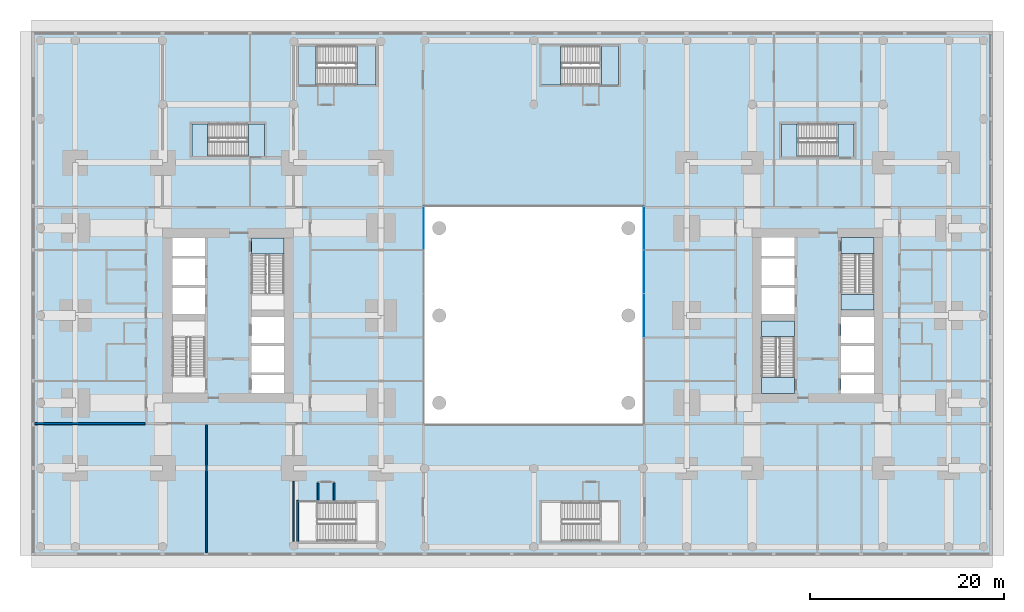
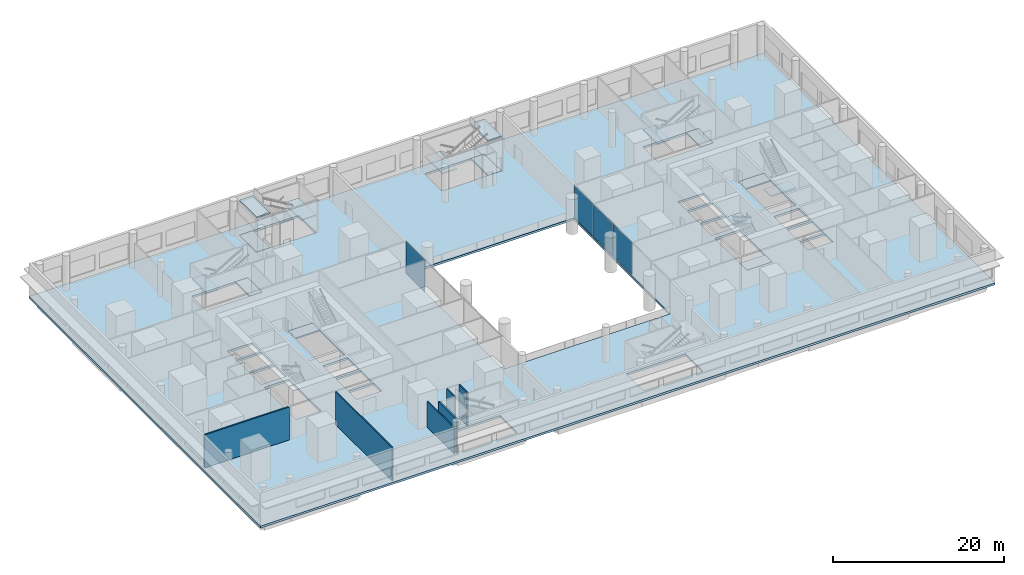
# One storey, part 9 of 22: 16 slabs, 6 walls, 4 plates, 9 elements without a shape of their own.
"""IFC4 building model written with IfcOpenShell, lengths in metres."""

from ifc_helpers import new_model, si_unit, direction, frame, frame_2d, origin, origin_2d, place, context, subcontext, project, spatial, polyline, rectangle, outline, extrude, material, layer, layer_set, type_object, element, aggregate, save


model = new_model("IFC4")

# Units and contexts
model_context = context("Model", 3, precision=1e-05, world=origin(), true_north=direction((0.0, 1.0)))
body_context = subcontext(model_context, "Body", "Model", "MODEL_VIEW")
ifc_project = project(units=[si_unit("LENGTHUNIT", "METRE"), si_unit("AREAUNIT", "SQUARE_METRE"), si_unit("VOLUMEUNIT", "CUBIC_METRE"), si_unit("PLANEANGLEUNIT", "RADIAN"), si_unit("MASSUNIT", "GRAM", prefix="KILO")], contexts=[model_context])

# Site, building, storey
site_placement = place(None, origin())
site = spatial("IfcSite", under=ifc_project, at=site_placement, CompositionType="ELEMENT")
building_placement = place(site_placement, origin())
building = spatial("IfcBuilding", under=site, at=building_placement, Name="Namib Vertical Campus", CompositionType="ELEMENT")
storey_placement = place(building_placement, frame((0.0, 0.0, 11.0)))
storey = spatial("IfcBuildingStorey", under=building, at=storey_placement, Name="L02", CompositionType="ELEMENT", Elevation=11.0)

# Curtain wall, plate
ifc_material_1 = material(Name="Black aluminium curtain wall", Category="aluminium")
ifc_layer_1 = layer(ifc_material_1, 0.199951171875)
ifc_layer_set_1 = layer_set([ifc_layer_1], Name="Atrium screen curtain wall CW-AT")
curtain_wall_type = type_object("IfcCurtainWallType", Name="Atrium screen curtain wall CW-AT", PredefinedType="USERDEFINED", material=ifc_layer_set_1)
curtain_wall_1_placement = place(storey_placement, origin())
curtain_wall_1 = element("IfcCurtainWall", 1, at=curtain_wall_1_placement, inside=storey, type_object=curtain_wall_type, Name="Curtain wall CW-AT atrium A L02 1", ObjectType="CURTAIN WALL", PredefinedType="USERDEFINED")
ifc_material_2 = material(Name="Dark tinted glass", Category="glass")
ifc_layer_2 = layer(ifc_material_2, 0.028076171875)
ifc_layer_set_2 = layer_set([ifc_layer_2], Name="Dark solar glass panel 28")
plate_type = type_object("IfcPlateType", Name="Dark solar glass panel 28", PredefinedType="CURTAIN_PANEL", material=ifc_layer_set_2)
plate_1_placement = place(storey_placement, frame((40.39990234375, 29.235107421875, 0.06005859375), z_axis=(0.0, 0.0, 1.0), x_axis=(0.0, 1.0, 0.0)))
plate_1 = element("IfcPlate", 2, at=plate_1_placement, type_object=plate_type, Name="CW-AT panel 5.1", PredefinedType="CURTAIN_PANEL", context=body_context, shape_type="SweptSolid", body=[
    extrude(rectangle(XDim=4.409912109375, YDim=0.028076171875, at=origin_2d()), origin(), (0.0, 0.0, 1.0), 4.580078125),
])
aggregate(curtain_wall_1, [plate_1])

# Curtain wall, plates
curtain_wall_2_placement = place(storey_placement, origin())
curtain_wall_2 = element("IfcCurtainWall", 3, at=curtain_wall_2_placement, inside=storey, type_object=curtain_wall_type, Name="Curtain wall CW-AT atrium B L02 1", ObjectType="CURTAIN WALL", PredefinedType="USERDEFINED")
plate_2_placement = place(storey_placement, frame((63.10009765625, 20.25, 0.06005859375), z_axis=(0.0, 0.0, 1.0), x_axis=(0.0, 1.0, 0.0)))
plate_2 = element("IfcPlate", 4, at=plate_2_placement, type_object=plate_type, Name="CW-AT panel 3.1", PredefinedType="CURTAIN_PANEL", context=body_context, shape_type="SweptSolid", body=[
    extrude(rectangle(XDim=4.43994140625, YDim=0.028076171875, at=origin_2d()), origin(), (0.0, 0.0, 1.0), 4.580078125),
])
plate_3_placement = place(storey_placement, frame((63.10009765625, 24.75, 0.06005859375), z_axis=(0.0, 0.0, 1.0), x_axis=(0.0, 1.0, 0.0)))
plate_3 = element("IfcPlate", 5, at=plate_3_placement, type_object=plate_type, Name="CW-AT panel 4.1", PredefinedType="CURTAIN_PANEL", context=body_context, shape_type="SweptSolid", body=[
    extrude(rectangle(XDim=4.43994140625, YDim=0.028076171875, at=origin_2d()), origin(), (0.0, 0.0, 1.0), 4.580078125),
])
plate_4_placement = place(storey_placement, frame((63.10009765625, 29.235107421875, 0.06005859375), z_axis=(0.0, 0.0, 1.0), x_axis=(0.0, 1.0, 0.0)))
plate_4 = element("IfcPlate", 6, at=plate_4_placement, type_object=plate_type, Name="CW-AT panel 5.1", PredefinedType="CURTAIN_PANEL", context=body_context, shape_type="SweptSolid", body=[
    extrude(rectangle(XDim=4.409912109375, YDim=0.028076171875, at=origin_2d()), origin(), (0.0, 0.0, 1.0), 4.580078125),
])
aggregate(curtain_wall_2, [plate_2, plate_3, plate_4])

# Slab
ifc_material_3 = material(Name="Concrete C40/50", Category="concrete")
ifc_layer_3 = layer(ifc_material_3, 0.300048828125)
ifc_layer_set_3 = layer_set([ifc_layer_3], Name="Concrete C40/50")
slab_type_1 = type_object("IfcSlabType", Name="Floor slab 300", PredefinedType="FLOOR", material=ifc_layer_set_3)
slab_1_placement = place(storey_placement, frame((0.0, 0.0, -0.300048828125)))
element("IfcSlab", 7, at=slab_1_placement, inside=storey, type_object=slab_type_1, Name="Floor slab L02", PredefinedType="FLOOR", context=body_context, shape_type="SweptSolid", body=[
    extrude(outline(polyline([(0.0, -4.5), (99.0, -4.5), (99.0, 49.5), (0.0, 49.5), (0.0, -4.5)]), holes=[polyline([(86.800048828125, 20.800048828125), (83.39990234375, 20.800048828125), (83.39990234375, 28.300048828125), (86.800048828125, 28.300048828125), (86.800048828125, 20.800048828125)]), polyline([(86.800048828125, 17.39990234375), (83.39990234375, 17.39990234375), (83.39990234375, 20.10009765625), (86.800048828125, 20.10009765625), (86.800048828125, 17.39990234375)]), polyline([(86.800048828125, 17.10009765625), (86.800048828125, 14.39990234375), (83.39990234375, 14.39990234375), (83.39990234375, 17.10009765625), (86.800048828125, 17.10009765625)]), polyline([(86.800048828125, 12.199951171875), (83.39990234375, 12.199951171875), (83.39990234375, 14.10009765625), (86.800048828125, 14.10009765625), (86.800048828125, 12.199951171875)]), polyline([(84.75, 36.60009765625), (77.25, 36.60009765625), (77.25, 40.0), (84.75, 40.0), (84.75, 36.60009765625)]), polyline([(78.60009765625, 28.300048828125), (78.60009765625, 26.39990234375), (75.199951171875, 26.39990234375), (75.199951171875, 28.300048828125), (78.60009765625, 28.300048828125)]), polyline([(78.60009765625, 23.39990234375), (75.199951171875, 23.39990234375), (75.199951171875, 26.10009765625), (78.60009765625, 26.10009765625), (78.60009765625, 23.39990234375)]), polyline([(78.60009765625, 23.10009765625), (78.60009765625, 20.39990234375), (75.199951171875, 20.39990234375), (75.199951171875, 23.10009765625), (78.60009765625, 23.10009765625)]), polyline([(78.60009765625, 12.199951171875), (75.199951171875, 12.199951171875), (75.199951171875, 19.699951171875), (78.60009765625, 19.699951171875), (78.60009765625, 12.199951171875)]), polyline([(63.0, 31.5), (63.0, 9.0), (40.5, 9.0), (40.5, 31.5), (63.0, 31.5)]), polyline([(60.5, -3.0), (52.5, -3.0), (52.5, 1.0), (60.5, 1.0), (60.5, -3.0)]), polyline([(60.5, 44.0), (52.5, 44.0), (52.5, 48.0), (60.5, 48.0), (60.5, 44.0)]), polyline([(35.5, 48.0), (35.5, 44.0), (27.5, 44.0), (27.5, 48.0), (35.5, 48.0)]), polyline([(35.5, 1.0), (35.5, -3.0), (27.5, -3.0), (27.5, 1.0), (35.5, 1.0)]), polyline([(26.0, 20.800048828125), (22.64990234375, 20.800048828125), (22.64990234375, 28.25), (26.0, 28.25), (26.0, 20.800048828125)]), polyline([(26.0, 17.39990234375), (22.64990234375, 17.39990234375), (22.64990234375, 20.10009765625), (26.0, 20.10009765625), (26.0, 17.39990234375)]), polyline([(26.0, 17.10009765625), (26.0, 14.39990234375), (22.64990234375, 14.39990234375), (22.64990234375, 17.10009765625), (26.0, 17.10009765625)]), polyline([(26.0, 14.10009765625), (26.0, 12.25), (22.64990234375, 12.25), (22.64990234375, 14.10009765625), (26.0, 14.10009765625)]), polyline([(24.0, 36.64990234375), (16.5, 36.64990234375), (16.5, 40.0), (24.0, 40.0), (24.0, 36.64990234375)]), polyline([(17.85009765625, 26.39990234375), (14.5, 26.39990234375), (14.5, 28.25), (17.85009765625, 28.25), (17.85009765625, 26.39990234375)]), polyline([(17.85009765625, 26.10009765625), (17.85009765625, 23.39990234375), (14.5, 23.39990234375), (14.5, 26.10009765625), (17.85009765625, 26.10009765625)]), polyline([(17.85009765625, 20.39990234375), (14.5, 20.39990234375), (14.5, 23.10009765625), (17.85009765625, 23.10009765625), (17.85009765625, 20.39990234375)]), polyline([(17.85009765625, 12.25), (14.5, 12.25), (14.5, 19.699951171875), (17.85009765625, 19.699951171875), (17.85009765625, 12.25)])]), origin(), (0.0, 0.0, 1.0), 0.300048828125),
])

# Stair, slab
ifc_material_4 = material(Name="Concrete C40/50 precast", Category="concrete")
stair_type_1 = type_object("IfcStairType", Name="Exit stair 5000 rise 30 risers 3350 wide", PredefinedType="HALF_TURN_STAIR", material=ifc_material_4)
stair_1_placement = place(storey_placement, origin())
stair_1 = element("IfcStair", 8, at=stair_1_placement, inside=storey, type_object=stair_type_1, Name="Exit stair A-S2 L02", PredefinedType="HALF_TURN_STAIR")
ifc_material_5 = material(Name="Concrete C40/50", Category="concrete")
ifc_layer_4 = layer(ifc_material_5, 0.199951171875)
ifc_layer_set_4 = layer_set([ifc_layer_4], Name="Concrete C40/50")
slab_type_2 = type_object("IfcSlabType", Name="Stair landing 200", PredefinedType="LANDING", material=ifc_layer_set_4)
slab_2_placement = place(storey_placement, frame((0.0, 0.0, -0.199951171875)))
slab_2 = element("IfcSlab", 9, at=slab_2_placement, type_object=slab_type_2, Name="A-S2 landing 1", PredefinedType="LANDING", context=body_context, shape_type="SweptSolid", body=[
    extrude(outline(polyline([(22.64990234375, 26.59619140625), (26.0, 26.59619140625), (26.0, 28.25), (22.64990234375, 28.25), (22.64990234375, 26.59619140625)])), origin(), (0.0, 0.0, 1.0), 0.199951171875),
])
aggregate(stair_1, [slab_2])

# Stair, slabs
ifc_material_6 = material(Name="Concrete C40/50 precast", Category="concrete")
stair_type_2 = type_object("IfcStairType", Name="Exit stair 5000 rise 30 risers 3400 wide", PredefinedType="HALF_TURN_STAIR", material=ifc_material_6)
stair_2_placement = place(storey_placement, origin())
stair_2 = element("IfcStair", 10, at=stair_2_placement, inside=storey, type_object=stair_type_2, Name="Exit stair B-S1 L02", PredefinedType="HALF_TURN_STAIR")
slab_3_placement = place(storey_placement, frame((0.0, 0.0, -0.199951171875)))
slab_3 = element("IfcSlab", 11, at=slab_3_placement, type_object=slab_type_2, Name="B-S1 landing 1", PredefinedType="LANDING", context=body_context, shape_type="SweptSolid", body=[
    extrude(outline(polyline([(75.199951171875, 12.199951171875), (78.60009765625, 12.199951171875), (78.60009765625, 13.85400390625), (75.199951171875, 13.85400390625), (75.199951171875, 12.199951171875)])), origin(), (0.0, 0.0, 1.0), 0.199951171875),
])
slab_4_placement = place(storey_placement, frame((0.0, 0.0, 2.300048828125)))
slab_4 = element("IfcSlab", 12, at=slab_4_placement, type_object=slab_type_2, Name="B-S1 landing 2", PredefinedType="LANDING", context=body_context, shape_type="SweptSolid", body=[
    extrude(outline(polyline([(75.199951171875, 18.066162109375), (78.60009765625, 18.066162109375), (78.60009765625, 19.699951171875), (75.199951171875, 19.699951171875), (75.199951171875, 18.066162109375)])), origin(), (0.0, 0.0, 1.0), 0.199951171875),
])
aggregate(stair_2, [slab_3, slab_4])

stair_3_placement = place(storey_placement, origin())
stair_3 = element("IfcStair", 13, at=stair_3_placement, inside=storey, type_object=stair_type_2, Name="Exit stair B-S2 L02", PredefinedType="HALF_TURN_STAIR")
slab_5_placement = place(storey_placement, frame((0.0, 0.0, -0.199951171875)))
slab_5 = element("IfcSlab", 14, at=slab_5_placement, type_object=slab_type_2, Name="B-S2 landing 1", PredefinedType="LANDING", context=body_context, shape_type="SweptSolid", body=[
    extrude(outline(polyline([(83.39990234375, 26.64599609375), (86.800048828125, 26.64599609375), (86.800048828125, 28.300048828125), (83.39990234375, 28.300048828125), (83.39990234375, 26.64599609375)])), origin(), (0.0, 0.0, 1.0), 0.199951171875),
])
slab_6_placement = place(storey_placement, frame((0.0, 0.0, 2.300048828125)))
slab_6 = element("IfcSlab", 15, at=slab_6_placement, type_object=slab_type_2, Name="B-S2 landing 2", PredefinedType="LANDING", context=body_context, shape_type="SweptSolid", body=[
    extrude(outline(polyline([(83.39990234375, 20.800048828125), (86.800048828125, 20.800048828125), (86.800048828125, 22.433837890625), (83.39990234375, 22.433837890625), (83.39990234375, 20.800048828125)])), origin(), (0.0, 0.0, 1.0), 0.199951171875),
])
aggregate(stair_3, [slab_5, slab_6])

ifc_material_7 = material(Name="Concrete C40/50 precast", Category="concrete")
stair_type_3 = type_object("IfcStairType", Name="Podium exit stair 5000 rise 30 risers 1800 flights", PredefinedType="HALF_TURN_STAIR", material=ifc_material_7)
stair_4_placement = place(storey_placement, origin())
stair_4 = element("IfcStair", 16, at=stair_4_placement, inside=storey, type_object=stair_type_3, Name="Exit stair P-S1 L02", PredefinedType="HALF_TURN_STAIR")
slab_7_placement = place(storey_placement, frame((0.0, 0.0, -0.199951171875)))
slab_7 = element("IfcSlab", 17, at=slab_7_placement, type_object=slab_type_2, Name="P-S1 landing 1", PredefinedType="LANDING", context=body_context, shape_type="SweptSolid", body=[
    extrude(outline(polyline([(27.5, 44.0), (27.5, 48.0), (29.300048828125, 48.0), (29.300048828125, 44.0), (27.5, 44.0)])), origin(), (0.0, 0.0, 1.0), 0.199951171875),
])
slab_8_placement = place(storey_placement, frame((0.0, 0.0, 2.300048828125)))
slab_8 = element("IfcSlab", 18, at=slab_8_placement, type_object=slab_type_2, Name="P-S1 landing 2", PredefinedType="LANDING", context=body_context, shape_type="SweptSolid", body=[
    extrude(outline(polyline([(33.51220703125, 44.0), (33.51220703125, 48.0), (35.5, 48.0), (35.5, 44.0), (33.51220703125, 44.0)])), origin(), (0.0, 0.0, 1.0), 0.199951171875),
])
slab_9_placement = place(storey_placement, frame((0.0, 0.0, 4.800048828125)))
slab_9 = element("IfcSlab", 19, at=slab_9_placement, type_object=slab_type_2, Name="P-S1 landing 3", PredefinedType="LANDING", context=body_context, shape_type="SweptSolid", body=[
    extrude(outline(polyline([(27.5, 44.0), (27.5, 48.0), (29.300048828125, 48.0), (29.300048828125, 44.0), (27.5, 44.0)])), origin(), (0.0, 0.0, 1.0), 0.199951171875),
])
aggregate(stair_4, [slab_7, slab_8, slab_9])

stair_5_placement = place(storey_placement, origin())
stair_5 = element("IfcStair", 20, at=stair_5_placement, inside=storey, type_object=stair_type_3, Name="Exit stair P-S3 L02", PredefinedType="HALF_TURN_STAIR")
slab_10_placement = place(storey_placement, frame((0.0, 0.0, -0.199951171875)))
slab_10 = element("IfcSlab", 21, at=slab_10_placement, type_object=slab_type_2, Name="P-S3 landing 1", PredefinedType="LANDING", context=body_context, shape_type="SweptSolid", body=[
    extrude(outline(polyline([(58.699951171875, 44.0), (58.699951171875, 48.0), (60.5, 48.0), (60.5, 44.0), (58.699951171875, 44.0)])), origin(), (0.0, 0.0, 1.0), 0.199951171875),
])
slab_11_placement = place(storey_placement, frame((0.0, 0.0, 2.300048828125)))
slab_11 = element("IfcSlab", 22, at=slab_11_placement, type_object=slab_type_2, Name="P-S3 landing 2", PredefinedType="LANDING", context=body_context, shape_type="SweptSolid", body=[
    extrude(outline(polyline([(52.5, 44.0), (52.5, 48.0), (54.48779296875, 48.0), (54.48779296875, 44.0), (52.5, 44.0)])), origin(), (0.0, 0.0, 1.0), 0.199951171875),
])
slab_12_placement = place(storey_placement, frame((0.0, 0.0, 4.800048828125)))
slab_12 = element("IfcSlab", 23, at=slab_12_placement, type_object=slab_type_2, Name="P-S3 landing 3", PredefinedType="LANDING", context=body_context, shape_type="SweptSolid", body=[
    extrude(outline(polyline([(58.699951171875, 44.0), (58.699951171875, 48.0), (60.5, 48.0), (60.5, 44.0), (58.699951171875, 44.0)])), origin(), (0.0, 0.0, 1.0), 0.199951171875),
])
aggregate(stair_5, [slab_10, slab_11, slab_12])

stair_6_placement = place(storey_placement, origin())
stair_6 = element("IfcStair", 24, at=stair_6_placement, inside=storey, type_object=stair_type_1, Name="Exit stair A-S3 L02", PredefinedType="HALF_TURN_STAIR")
slab_13_placement = place(storey_placement, frame((0.0, 0.0, -0.199951171875)))
slab_13 = element("IfcSlab", 25, at=slab_13_placement, type_object=slab_type_2, Name="A-S3 landing 1", PredefinedType="LANDING", context=body_context, shape_type="SweptSolid", body=[
    extrude(outline(polyline([(22.34619140625, 36.64990234375), (22.34619140625, 40.0), (24.0, 40.0), (24.0, 36.64990234375), (22.34619140625, 36.64990234375)])), origin(), (0.0, 0.0, 1.0), 0.199951171875),
])
slab_14_placement = place(storey_placement, frame((0.0, 0.0, 2.300048828125)))
slab_14 = element("IfcSlab", 26, at=slab_14_placement, type_object=slab_type_2, Name="A-S3 landing 2", PredefinedType="LANDING", context=body_context, shape_type="SweptSolid", body=[
    extrude(outline(polyline([(16.5, 36.64990234375), (16.5, 40.0), (18.1337890625, 40.0), (18.1337890625, 36.64990234375), (16.5, 36.64990234375)])), origin(), (0.0, 0.0, 1.0), 0.199951171875),
])
aggregate(stair_6, [slab_13, slab_14])

stair_7_placement = place(storey_placement, origin())
stair_7 = element("IfcStair", 27, at=stair_7_placement, inside=storey, type_object=stair_type_2, Name="Exit stair B-S3 L02", PredefinedType="HALF_TURN_STAIR")
slab_15_placement = place(storey_placement, frame((0.0, 0.0, -0.199951171875)))
slab_15 = element("IfcSlab", 28, at=slab_15_placement, type_object=slab_type_2, Name="B-S3 landing 1", PredefinedType="LANDING", context=body_context, shape_type="SweptSolid", body=[
    extrude(outline(polyline([(83.09619140625, 36.60009765625), (83.09619140625, 40.0), (84.75, 40.0), (84.75, 36.60009765625), (83.09619140625, 36.60009765625)])), origin(), (0.0, 0.0, 1.0), 0.199951171875),
])
slab_16_placement = place(storey_placement, frame((0.0, 0.0, 2.300048828125)))
slab_16 = element("IfcSlab", 29, at=slab_16_placement, type_object=slab_type_2, Name="B-S3 landing 2", PredefinedType="LANDING", context=body_context, shape_type="SweptSolid", body=[
    extrude(outline(polyline([(77.25, 36.60009765625), (77.25, 40.0), (78.8837890625, 40.0), (78.8837890625, 36.60009765625), (77.25, 36.60009765625)])), origin(), (0.0, 0.0, 1.0), 0.199951171875),
])
aggregate(stair_7, [slab_15, slab_16])

# Walls
ifc_material_8 = material(Name="Concrete masonry", Category="masonry")
ifc_layer_5 = layer(ifc_material_8, 0.199951171875)
ifc_layer_set_5 = layer_set([ifc_layer_5], Name="Corridor wall 200")
wall_type_1 = type_object("IfcWallType", Name="Corridor wall 200", PredefinedType="SOLIDWALL", material=ifc_layer_set_5)
wall_1_placement = place(storey_placement, frame((0.300048828125, 9.10009765625, 0.0), z_axis=(0.0, 0.0, 1.0), x_axis=(1.0, 0.0, 0.0)))
element("IfcWall", 30, at=wall_1_placement, inside=storey, type_object=wall_type_1, Name="Partition A L02 BSW", PredefinedType="SOLIDWALL", context=body_context, shape_type="SweptSolid", body=[
    extrude(rectangle(XDim=11.39990234375, YDim=0.199951171875, at=frame_2d((5.699951171875, 0.0))), origin(), (0.0, 0.0, 1.0), 4.699951171875),
])
ifc_material_9 = material(Name="Gypsum board on steel studs", Category="steel")
ifc_layer_6 = layer(ifc_material_9, 0.14990234375)
ifc_layer_set_6 = layer_set([ifc_layer_6], Name="Gypsum board on steel studs")
wall_type_2 = type_object("IfcWallType", Name="Partition 150", PredefinedType="PARTITIONING", material=ifc_layer_set_6)
wall_2_placement = place(storey_placement, frame((18.0, -4.199951171875, 0.0), z_axis=(0.0, 0.0, 1.0), x_axis=(0.0, 1.0, 0.0)))
element("IfcWall", 31, at=wall_2_placement, inside=storey, type_object=wall_type_2, Name="Partition A L02 PS1", PredefinedType="PARTITIONING", context=body_context, shape_type="SweptSolid", body=[
    extrude(rectangle(XDim=13.199951171875, YDim=0.14990234375, at=frame_2d((6.60009765625, 0.0))), origin(), (0.0, 0.0, 1.0), 4.699951171875),
])
wall_3_placement = place(storey_placement, frame((27.0, -3.030029296875, 0.0), z_axis=(0.0, 0.0, 1.0), x_axis=(0.0, 1.0, 0.0)))
element("IfcWall", 32, at=wall_3_placement, inside=storey, type_object=wall_type_2, Name="Partition A L02 PS2", PredefinedType="PARTITIONING", context=body_context, shape_type="SweptSolid", body=[
    extrude(rectangle(XDim=6.2099609375, YDim=0.14990234375, at=frame_2d((3.10498046875, 0.0))), origin(), (0.0, 0.0, 1.0), 3.699951171875),
])
for number, where, z_axis, x_axis, name in (
    (33, (31.175048828125, 1.199951171875, 0.0), (0.0, 0.0, 1.0), (0.0, 1.0, 0.0), "Refuge cell partition P-S2 L02"),
    (34, (29.52490234375, 1.199951171875, 0.0), (0.0, 0.0, 1.0), (0.0, 1.0, 0.0), "Refuge cell partition P-S2 L02"),
):
    element("IfcWall", number, at=place(storey_placement, frame(where, z_axis=z_axis, x_axis=x_axis)), inside=storey, type_object=wall_type_2, Name=name, PredefinedType="PARTITIONING", context=body_context, shape_type="SweptSolid", body=[
        extrude(rectangle(XDim=1.800048828125, YDim=0.14990234375, at=frame_2d((0.89990234375, 0.0))), origin(), (0.0, 0.0, 1.0), 4.699951171875),
    ])
ifc_material_10 = material(Name="Concrete C40/50", Category="concrete")
ifc_layer_7 = layer(ifc_material_10, 0.199951171875)
ifc_layer_set_7 = layer_set([ifc_layer_7], Name="Concrete C40/50")
wall_type_3 = type_object("IfcWallType", Name="Stair enclosure wall RC 200", PredefinedType="SOLIDWALL", material=ifc_layer_set_7)
wall_4_placement = place(storey_placement, frame((27.39990234375, -3.030029296875, 0.0), z_axis=(0.0, 0.0, 1.0), x_axis=(0.0, 1.0, 0.0)))
element("IfcWall", 35, at=wall_4_placement, inside=storey, type_object=wall_type_3, Name="Stair enclosure wall P-S2 L02 W", PredefinedType="SOLIDWALL", context=body_context, shape_type="SweptSolid", body=[
    extrude(rectangle(XDim=4.22998046875, YDim=0.199951171875, at=frame_2d((2.114990234375, 0.0))), origin(), (0.0, 0.0, 1.0), 4.699951171875),
])

save(model, "model.ifc")
